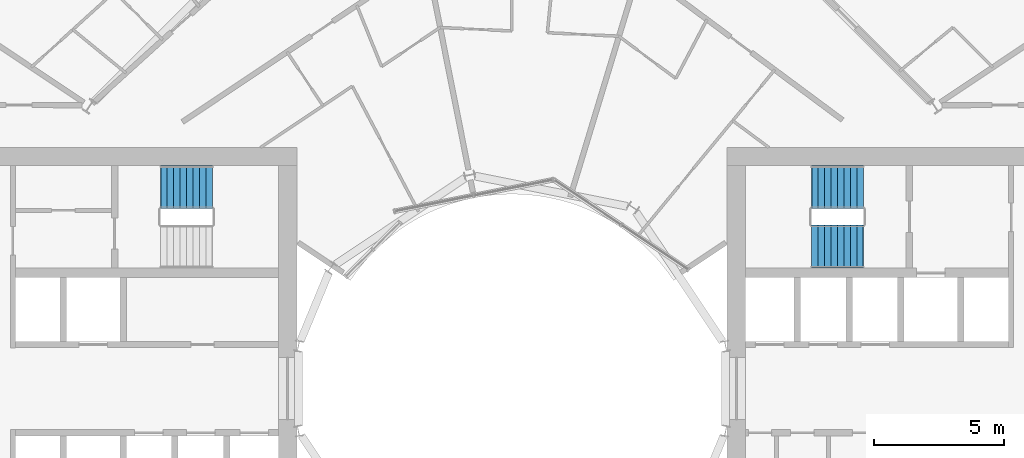
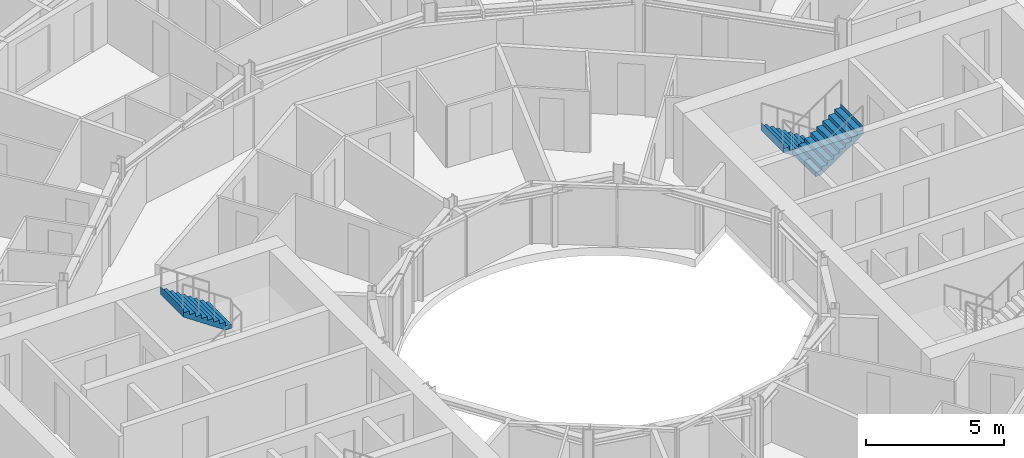
# One storey, part 24 of 26: 3 stair flights, 2 elements without a shape of their own.
"""IFC4 building model written with IfcOpenShell, lengths in metres."""

from ifc_helpers import new_model, si_unit, direction, frame, origin, place, context, subcontext, project, spatial, triangles, material, type_object, element, aggregate, save


model = new_model("IFC4")

# Units and contexts
model_context = context("Model", 3, precision=1e-05, world=origin(), true_north=direction((0.0, 1.0)))
body_context = subcontext(model_context, "Body", "Model", "MODEL_VIEW")
ifc_project = project(units=[si_unit("LENGTHUNIT", "METRE"), si_unit("AREAUNIT", "SQUARE_METRE"), si_unit("VOLUMEUNIT", "CUBIC_METRE"), si_unit("PLANEANGLEUNIT", "RADIAN"), si_unit("MASSUNIT", "GRAM", prefix="KILO")], contexts=[model_context])

# Site, building, storey
site_placement = place(None, origin())
site = spatial("IfcSite", under=ifc_project, at=site_placement, CompositionType="ELEMENT")
building_placement = place(site_placement, origin())
building = spatial("IfcBuilding", under=site, at=building_placement, Name="Maasbend Ring Residences", CompositionType="ELEMENT")
storey_placement = place(building_placement, frame((0.0, 0.0, 66.64990234375)))
storey = spatial("IfcBuildingStorey", under=building, at=storey_placement, Name="L18", CompositionType="ELEMENT", Elevation=66.64990234375)

# Stair, stair flights
ifc_material_1 = material(Name="Concrete C40/50", Category="concrete")
stair_type = type_object("IfcStairType", Name="CORE STAIR 18 RISERS", PredefinedType="HALF_TURN_STAIR", material=ifc_material_1)
stair_1_placement = place(storey_placement, origin())
stair_1 = element("IfcStair", 1, at=stair_1_placement, inside=storey, type_object=stair_type, Name="L18 Exit stair ST-E1", PredefinedType="HALF_TURN_STAIR")
ifc_material_2 = material(Name="Concrete C40/50", Category="concrete")
stair_flight_type = type_object("IfcStairFlightType", Name="CORE STAIR FLIGHT 1650", PredefinedType="STRAIGHT", material=ifc_material_2)
stair_flight_1_placement = place(storey_placement, frame((13.550048828125, 7.77490234375, 0.0), z_axis=(0.0, 0.0, 1.0), x_axis=(-1.0, 0.0, 0.0)))
stair_flight_1 = element("IfcStairFlight", 2, at=stair_flight_1_placement, type_object=stair_flight_type, Name="ST-E1 flight 1", NumberOfRisers=9, NumberOfTreads=8, PredefinedType="STRAIGHT", RiserHeight=0.169444444, TreadLength=0.25, context=body_context, shape_type="Tessellation", body=[
    triangles([(0.24072265625, 0.824951171875, -0.02001953125), (2.0029296875, 0.824951171875, 1.174560546875), (2.0029296875, 0.824951171875, 1.52490234375), (1.989990234375, 0.824951171875, 1.35546875), (1.75, 0.824951171875, 1.35546875), (1.75, 0.824951171875, 1.18603515625), (1.5, 0.824951171875, 1.18603515625), (1.5, 0.824951171875, 1.0166015625), (1.25, 0.824951171875, 1.0166015625), (1.25, 0.824951171875, 0.84716796875), (1.0, 0.824951171875, 0.84716796875), (1.0, 0.824951171875, 0.677734375), (0.75, 0.824951171875, 0.677734375), (0.75, 0.824951171875, 0.50830078125), (0.5, 0.824951171875, 0.50830078125), (0.5, 0.824951171875, 0.3388671875), (0.25, 0.824951171875, 0.3388671875), (0.25, 0.824951171875, 0.16943359375), (0.0, 0.824951171875, 0.16943359375), (0.0, 0.824951171875, 0.0), (-0.0029296875, 0.824951171875, 0.0), (-0.0029296875, 0.824951171875, -0.02001953125), (0.24072265625, 0.27490234375, -0.02001953125), (2.0029296875, 0.27490234375, 1.174560546875), (2.0029296875, 0.27490234375, 1.52490234375), (1.989990234375, 0.27490234375, 1.35546875), (1.75, 0.27490234375, 1.35546875), (1.75, 0.27490234375, 1.18603515625), (1.5, 0.27490234375, 1.18603515625), (1.5, 0.27490234375, 1.0166015625), (1.25, 0.27490234375, 1.0166015625), (1.25, 0.27490234375, 0.84716796875), (1.0, 0.27490234375, 0.84716796875), (1.0, 0.27490234375, 0.677734375), (0.75, 0.27490234375, 0.677734375), (0.75, 0.27490234375, 0.50830078125), (0.5, 0.27490234375, 0.50830078125), (0.5, 0.27490234375, 0.3388671875), (0.25, 0.27490234375, 0.3388671875), (0.25, 0.27490234375, 0.16943359375), (0.0, 0.27490234375, 0.16943359375), (0.0, 0.27490234375, 0.0), (-0.0029296875, 0.27490234375, 0.0), (-0.0029296875, 0.27490234375, -0.02001953125), (0.24072265625, -0.27490234375, -0.02001953125), (2.0029296875, -0.27490234375, 1.174560546875), (2.0029296875, -0.27490234375, 1.52490234375), (1.989990234375, -0.27490234375, 1.35546875), (1.75, -0.27490234375, 1.35546875), (1.75, -0.27490234375, 1.18603515625), (1.5, -0.27490234375, 1.18603515625), (1.5, -0.27490234375, 1.0166015625), (1.25, -0.27490234375, 1.0166015625), (1.25, -0.27490234375, 0.84716796875), (1.0, -0.27490234375, 0.84716796875), (1.0, -0.27490234375, 0.677734375), (0.75, -0.27490234375, 0.677734375), (0.75, -0.27490234375, 0.50830078125), (0.5, -0.27490234375, 0.50830078125), (0.5, -0.27490234375, 0.3388671875), (0.25, -0.27490234375, 0.3388671875), (0.25, -0.27490234375, 0.16943359375), (0.0, -0.27490234375, 0.16943359375), (0.0, -0.27490234375, 0.0), (-0.0029296875, -0.27490234375, 0.0), (-0.0029296875, -0.27490234375, -0.02001953125), (0.24072265625, -0.824951171875, -0.02001953125), (2.0029296875, -0.824951171875, 1.174560546875), (2.0029296875, -0.824951171875, 1.52490234375), (1.989990234375, -0.824951171875, 1.35546875), (1.75, -0.824951171875, 1.35546875), (1.75, -0.824951171875, 1.18603515625), (1.5, -0.824951171875, 1.18603515625), (1.5, -0.824951171875, 1.0166015625), (1.25, -0.824951171875, 1.0166015625), (1.25, -0.824951171875, 0.84716796875), (1.0, -0.824951171875, 0.84716796875), (1.0, -0.824951171875, 0.677734375), (0.75, -0.824951171875, 0.677734375), (0.75, -0.824951171875, 0.50830078125), (0.5, -0.824951171875, 0.50830078125), (0.5, -0.824951171875, 0.3388671875), (0.25, -0.824951171875, 0.3388671875), (0.25, -0.824951171875, 0.16943359375), (0.0, -0.824951171875, 0.16943359375), (0.0, -0.824951171875, 0.0), (-0.0029296875, -0.824951171875, 0.0), (-0.0029296875, -0.824951171875, -0.02001953125)], [[1, 2, 24], [1, 24, 23], [23, 24, 46], [23, 46, 45], [45, 46, 68], [45, 68, 67], [2, 3, 25], [2, 25, 24], [24, 25, 47], [24, 47, 46], [46, 47, 69], [46, 69, 68], [3, 4, 26], [3, 26, 25], [25, 26, 48], [25, 48, 47], [47, 48, 70], [47, 70, 69], [4, 5, 27], [4, 27, 26], [26, 27, 49], [26, 49, 48], [48, 49, 71], [48, 71, 70], [5, 6, 28], [5, 28, 27], [27, 28, 50], [27, 50, 49], [49, 50, 72], [49, 72, 71], [6, 7, 29], [6, 29, 28], [28, 29, 51], [28, 51, 50], [50, 51, 73], [50, 73, 72], [7, 8, 30], [7, 30, 29], [29, 30, 52], [29, 52, 51], [51, 52, 74], [51, 74, 73], [8, 9, 31], [8, 31, 30], [30, 31, 53], [30, 53, 52], [52, 53, 75], [52, 75, 74], [9, 10, 32], [9, 32, 31], [31, 32, 54], [31, 54, 53], [53, 54, 76], [53, 76, 75], [10, 11, 33], [10, 33, 32], [32, 33, 55], [32, 55, 54], [54, 55, 77], [54, 77, 76], [11, 12, 34], [11, 34, 33], [33, 34, 56], [33, 56, 55], [55, 56, 78], [55, 78, 77], [12, 13, 35], [12, 35, 34], [34, 35, 57], [34, 57, 56], [56, 57, 79], [56, 79, 78], [13, 14, 36], [13, 36, 35], [35, 36, 58], [35, 58, 57], [57, 58, 80], [57, 80, 79], [14, 15, 37], [14, 37, 36], [36, 37, 59], [36, 59, 58], [58, 59, 81], [58, 81, 80], [15, 16, 38], [15, 38, 37], [37, 38, 60], [37, 60, 59], [59, 60, 82], [59, 82, 81], [16, 17, 39], [16, 39, 38], [38, 39, 61], [38, 61, 60], [60, 61, 83], [60, 83, 82], [17, 18, 40], [17, 40, 39], [39, 40, 62], [39, 62, 61], [61, 62, 84], [61, 84, 83], [18, 19, 41], [18, 41, 40], [40, 41, 63], [40, 63, 62], [62, 63, 85], [62, 85, 84], [19, 20, 42], [19, 42, 41], [41, 42, 64], [41, 64, 63], [63, 64, 86], [63, 86, 85], [20, 21, 43], [20, 43, 42], [42, 43, 65], [42, 65, 64], [64, 65, 87], [64, 87, 86], [21, 22, 44], [21, 44, 43], [43, 44, 66], [43, 66, 65], [65, 66, 88], [65, 88, 87], [22, 1, 23], [22, 23, 44], [44, 23, 45], [44, 45, 66], [66, 45, 67], [66, 67, 88], [22, 2, 1], [2, 4, 3], [2, 5, 4], [2, 6, 5], [22, 6, 2], [6, 8, 7], [22, 8, 6], [8, 10, 9], [22, 10, 8], [10, 12, 11], [22, 12, 10], [12, 14, 13], [22, 14, 12], [14, 16, 15], [22, 16, 14], [16, 18, 17], [22, 18, 16], [18, 20, 19], [22, 20, 18], [20, 22, 21], [88, 67, 68], [68, 69, 70], [68, 70, 71], [68, 71, 72], [88, 68, 72], [72, 73, 74], [88, 72, 74], [74, 75, 76], [88, 74, 76], [76, 77, 78], [88, 76, 78], [78, 79, 80], [88, 78, 80], [80, 81, 82], [88, 80, 82], [82, 83, 84], [88, 82, 84], [84, 85, 86], [88, 84, 86], [86, 87, 88]], closed=True),
])
stair_flight_2_placement = place(storey_placement, frame((11.550048828125, 5.47509765625, 1.525146484375), z_axis=(0.0, 0.0, 1.0), x_axis=(1.0, 0.0, 0.0)))
stair_flight_2 = element("IfcStairFlight", 3, at=stair_flight_2_placement, type_object=stair_flight_type, Name="ST-E1 flight 2", NumberOfRisers=9, NumberOfTreads=8, PredefinedType="STRAIGHT", RiserHeight=0.169444444, TreadLength=0.25, context=body_context, shape_type="Tessellation", body=[
    triangles([(0.24072265625, 0.824951171875, -0.02001953125), (2.0029296875, 0.824951171875, 1.174560546875), (2.0029296875, 0.824951171875, 1.52490234375), (1.989990234375, 0.824951171875, 1.35546875), (1.75, 0.824951171875, 1.35546875), (1.75, 0.824951171875, 1.18603515625), (1.5, 0.824951171875, 1.18603515625), (1.5, 0.824951171875, 1.0166015625), (1.25, 0.824951171875, 1.0166015625), (1.25, 0.824951171875, 0.84716796875), (1.0, 0.824951171875, 0.84716796875), (1.0, 0.824951171875, 0.677734375), (0.75, 0.824951171875, 0.677734375), (0.75, 0.824951171875, 0.50830078125), (0.5, 0.824951171875, 0.50830078125), (0.5, 0.824951171875, 0.3388671875), (0.25, 0.824951171875, 0.3388671875), (0.25, 0.824951171875, 0.16943359375), (0.0, 0.824951171875, 0.16943359375), (0.0, 0.824951171875, 0.0), (-0.0029296875, 0.824951171875, 0.0), (-0.0029296875, 0.824951171875, -0.02001953125), (0.24072265625, 0.27490234375, -0.02001953125), (2.0029296875, 0.27490234375, 1.174560546875), (2.0029296875, 0.27490234375, 1.52490234375), (1.989990234375, 0.27490234375, 1.35546875), (1.75, 0.27490234375, 1.35546875), (1.75, 0.27490234375, 1.18603515625), (1.5, 0.27490234375, 1.18603515625), (1.5, 0.27490234375, 1.0166015625), (1.25, 0.27490234375, 1.0166015625), (1.25, 0.27490234375, 0.84716796875), (1.0, 0.27490234375, 0.84716796875), (1.0, 0.27490234375, 0.677734375), (0.75, 0.27490234375, 0.677734375), (0.75, 0.27490234375, 0.50830078125), (0.5, 0.27490234375, 0.50830078125), (0.5, 0.27490234375, 0.3388671875), (0.25, 0.27490234375, 0.3388671875), (0.25, 0.27490234375, 0.16943359375), (0.0, 0.27490234375, 0.16943359375), (0.0, 0.27490234375, 0.0), (-0.0029296875, 0.27490234375, 0.0), (-0.0029296875, 0.27490234375, -0.02001953125), (0.24072265625, -0.27490234375, -0.02001953125), (2.0029296875, -0.27490234375, 1.174560546875), (2.0029296875, -0.27490234375, 1.52490234375), (1.989990234375, -0.27490234375, 1.35546875), (1.75, -0.27490234375, 1.35546875), (1.75, -0.27490234375, 1.18603515625), (1.5, -0.27490234375, 1.18603515625), (1.5, -0.27490234375, 1.0166015625), (1.25, -0.27490234375, 1.0166015625), (1.25, -0.27490234375, 0.84716796875), (1.0, -0.27490234375, 0.84716796875), (1.0, -0.27490234375, 0.677734375), (0.75, -0.27490234375, 0.677734375), (0.75, -0.27490234375, 0.50830078125), (0.5, -0.27490234375, 0.50830078125), (0.5, -0.27490234375, 0.3388671875), (0.25, -0.27490234375, 0.3388671875), (0.25, -0.27490234375, 0.16943359375), (0.0, -0.27490234375, 0.16943359375), (0.0, -0.27490234375, 0.0), (-0.0029296875, -0.27490234375, 0.0), (-0.0029296875, -0.27490234375, -0.02001953125), (0.24072265625, -0.824951171875, -0.02001953125), (2.0029296875, -0.824951171875, 1.174560546875), (2.0029296875, -0.824951171875, 1.52490234375), (1.989990234375, -0.824951171875, 1.35546875), (1.75, -0.824951171875, 1.35546875), (1.75, -0.824951171875, 1.18603515625), (1.5, -0.824951171875, 1.18603515625), (1.5, -0.824951171875, 1.0166015625), (1.25, -0.824951171875, 1.0166015625), (1.25, -0.824951171875, 0.84716796875), (1.0, -0.824951171875, 0.84716796875), (1.0, -0.824951171875, 0.677734375), (0.75, -0.824951171875, 0.677734375), (0.75, -0.824951171875, 0.50830078125), (0.5, -0.824951171875, 0.50830078125), (0.5, -0.824951171875, 0.3388671875), (0.25, -0.824951171875, 0.3388671875), (0.25, -0.824951171875, 0.16943359375), (0.0, -0.824951171875, 0.16943359375), (0.0, -0.824951171875, 0.0), (-0.0029296875, -0.824951171875, 0.0), (-0.0029296875, -0.824951171875, -0.02001953125)], [[1, 2, 24], [1, 24, 23], [23, 24, 46], [23, 46, 45], [45, 46, 68], [45, 68, 67], [2, 3, 25], [2, 25, 24], [24, 25, 47], [24, 47, 46], [46, 47, 69], [46, 69, 68], [3, 4, 26], [3, 26, 25], [25, 26, 48], [25, 48, 47], [47, 48, 70], [47, 70, 69], [4, 5, 27], [4, 27, 26], [26, 27, 49], [26, 49, 48], [48, 49, 71], [48, 71, 70], [5, 6, 28], [5, 28, 27], [27, 28, 50], [27, 50, 49], [49, 50, 72], [49, 72, 71], [6, 7, 29], [6, 29, 28], [28, 29, 51], [28, 51, 50], [50, 51, 73], [50, 73, 72], [7, 8, 30], [7, 30, 29], [29, 30, 52], [29, 52, 51], [51, 52, 74], [51, 74, 73], [8, 9, 31], [8, 31, 30], [30, 31, 53], [30, 53, 52], [52, 53, 75], [52, 75, 74], [9, 10, 32], [9, 32, 31], [31, 32, 54], [31, 54, 53], [53, 54, 76], [53, 76, 75], [10, 11, 33], [10, 33, 32], [32, 33, 55], [32, 55, 54], [54, 55, 77], [54, 77, 76], [11, 12, 34], [11, 34, 33], [33, 34, 56], [33, 56, 55], [55, 56, 78], [55, 78, 77], [12, 13, 35], [12, 35, 34], [34, 35, 57], [34, 57, 56], [56, 57, 79], [56, 79, 78], [13, 14, 36], [13, 36, 35], [35, 36, 58], [35, 58, 57], [57, 58, 80], [57, 80, 79], [14, 15, 37], [14, 37, 36], [36, 37, 59], [36, 59, 58], [58, 59, 81], [58, 81, 80], [15, 16, 38], [15, 38, 37], [37, 38, 60], [37, 60, 59], [59, 60, 82], [59, 82, 81], [16, 17, 39], [16, 39, 38], [38, 39, 61], [38, 61, 60], [60, 61, 83], [60, 83, 82], [17, 18, 40], [17, 40, 39], [39, 40, 62], [39, 62, 61], [61, 62, 84], [61, 84, 83], [18, 19, 41], [18, 41, 40], [40, 41, 63], [40, 63, 62], [62, 63, 85], [62, 85, 84], [19, 20, 42], [19, 42, 41], [41, 42, 64], [41, 64, 63], [63, 64, 86], [63, 86, 85], [20, 21, 43], [20, 43, 42], [42, 43, 65], [42, 65, 64], [64, 65, 87], [64, 87, 86], [21, 22, 44], [21, 44, 43], [43, 44, 66], [43, 66, 65], [65, 66, 88], [65, 88, 87], [22, 1, 23], [22, 23, 44], [44, 23, 45], [44, 45, 66], [66, 45, 67], [66, 67, 88], [22, 2, 1], [2, 4, 3], [2, 5, 4], [2, 6, 5], [22, 6, 2], [6, 8, 7], [22, 8, 6], [8, 10, 9], [22, 10, 8], [10, 12, 11], [22, 12, 10], [12, 14, 13], [22, 14, 12], [14, 16, 15], [22, 16, 14], [16, 18, 17], [22, 18, 16], [18, 20, 19], [22, 20, 18], [20, 22, 21], [88, 67, 68], [68, 69, 70], [68, 70, 71], [68, 71, 72], [88, 68, 72], [72, 73, 74], [88, 72, 74], [74, 75, 76], [88, 74, 76], [76, 77, 78], [88, 76, 78], [78, 79, 80], [88, 78, 80], [80, 81, 82], [88, 80, 82], [82, 83, 84], [88, 82, 84], [84, 85, 86], [88, 84, 86], [86, 87, 88]], closed=True),
])
aggregate(stair_1, [stair_flight_1, stair_flight_2])

# Stair, stair flight
stair_2_placement = place(storey_placement, origin())
stair_2 = element("IfcStair", 4, at=stair_2_placement, inside=storey, type_object=stair_type, Name="L18 Exit stair ST-W2", PredefinedType="HALF_TURN_STAIR")
stair_flight_3_placement = place(storey_placement, frame((-11.550048828125, 7.77490234375, 1.525146484375), z_axis=(0.0, 0.0, 1.0), x_axis=(-1.0, 0.0, 0.0)))
stair_flight_3 = element("IfcStairFlight", 5, at=stair_flight_3_placement, type_object=stair_flight_type, Name="ST-W2 flight 2", NumberOfRisers=9, NumberOfTreads=8, PredefinedType="STRAIGHT", RiserHeight=0.169444444, TreadLength=0.25, context=body_context, shape_type="Tessellation", body=[
    triangles([(0.24072265625, 0.824951171875, -0.02001953125), (2.0029296875, 0.824951171875, 1.174560546875), (2.0029296875, 0.824951171875, 1.52490234375), (1.989990234375, 0.824951171875, 1.35546875), (1.75, 0.824951171875, 1.35546875), (1.75, 0.824951171875, 1.18603515625), (1.5, 0.824951171875, 1.18603515625), (1.5, 0.824951171875, 1.0166015625), (1.25, 0.824951171875, 1.0166015625), (1.25, 0.824951171875, 0.84716796875), (1.0, 0.824951171875, 0.84716796875), (1.0, 0.824951171875, 0.677734375), (0.75, 0.824951171875, 0.677734375), (0.75, 0.824951171875, 0.50830078125), (0.5, 0.824951171875, 0.50830078125), (0.5, 0.824951171875, 0.3388671875), (0.25, 0.824951171875, 0.3388671875), (0.25, 0.824951171875, 0.16943359375), (0.0, 0.824951171875, 0.16943359375), (0.0, 0.824951171875, 0.0), (-0.0029296875, 0.824951171875, 0.0), (-0.0029296875, 0.824951171875, -0.02001953125), (0.24072265625, 0.27490234375, -0.02001953125), (2.0029296875, 0.27490234375, 1.174560546875), (2.0029296875, 0.27490234375, 1.52490234375), (1.989990234375, 0.27490234375, 1.35546875), (1.75, 0.27490234375, 1.35546875), (1.75, 0.27490234375, 1.18603515625), (1.5, 0.27490234375, 1.18603515625), (1.5, 0.27490234375, 1.0166015625), (1.25, 0.27490234375, 1.0166015625), (1.25, 0.27490234375, 0.84716796875), (1.0, 0.27490234375, 0.84716796875), (1.0, 0.27490234375, 0.677734375), (0.75, 0.27490234375, 0.677734375), (0.75, 0.27490234375, 0.50830078125), (0.5, 0.27490234375, 0.50830078125), (0.5, 0.27490234375, 0.3388671875), (0.25, 0.27490234375, 0.3388671875), (0.25, 0.27490234375, 0.16943359375), (0.0, 0.27490234375, 0.16943359375), (0.0, 0.27490234375, 0.0), (-0.0029296875, 0.27490234375, 0.0), (-0.0029296875, 0.27490234375, -0.02001953125), (0.24072265625, -0.27490234375, -0.02001953125), (2.0029296875, -0.27490234375, 1.174560546875), (2.0029296875, -0.27490234375, 1.52490234375), (1.989990234375, -0.27490234375, 1.35546875), (1.75, -0.27490234375, 1.35546875), (1.75, -0.27490234375, 1.18603515625), (1.5, -0.27490234375, 1.18603515625), (1.5, -0.27490234375, 1.0166015625), (1.25, -0.27490234375, 1.0166015625), (1.25, -0.27490234375, 0.84716796875), (1.0, -0.27490234375, 0.84716796875), (1.0, -0.27490234375, 0.677734375), (0.75, -0.27490234375, 0.677734375), (0.75, -0.27490234375, 0.50830078125), (0.5, -0.27490234375, 0.50830078125), (0.5, -0.27490234375, 0.3388671875), (0.25, -0.27490234375, 0.3388671875), (0.25, -0.27490234375, 0.16943359375), (0.0, -0.27490234375, 0.16943359375), (0.0, -0.27490234375, 0.0), (-0.0029296875, -0.27490234375, 0.0), (-0.0029296875, -0.27490234375, -0.02001953125), (0.24072265625, -0.824951171875, -0.02001953125), (2.0029296875, -0.824951171875, 1.174560546875), (2.0029296875, -0.824951171875, 1.52490234375), (1.989990234375, -0.824951171875, 1.35546875), (1.75, -0.824951171875, 1.35546875), (1.75, -0.824951171875, 1.18603515625), (1.5, -0.824951171875, 1.18603515625), (1.5, -0.824951171875, 1.0166015625), (1.25, -0.824951171875, 1.0166015625), (1.25, -0.824951171875, 0.84716796875), (1.0, -0.824951171875, 0.84716796875), (1.0, -0.824951171875, 0.677734375), (0.75, -0.824951171875, 0.677734375), (0.75, -0.824951171875, 0.50830078125), (0.5, -0.824951171875, 0.50830078125), (0.5, -0.824951171875, 0.3388671875), (0.25, -0.824951171875, 0.3388671875), (0.25, -0.824951171875, 0.16943359375), (0.0, -0.824951171875, 0.16943359375), (0.0, -0.824951171875, 0.0), (-0.0029296875, -0.824951171875, 0.0), (-0.0029296875, -0.824951171875, -0.02001953125)], [[1, 2, 24], [1, 24, 23], [23, 24, 46], [23, 46, 45], [45, 46, 68], [45, 68, 67], [2, 3, 25], [2, 25, 24], [24, 25, 47], [24, 47, 46], [46, 47, 69], [46, 69, 68], [3, 4, 26], [3, 26, 25], [25, 26, 48], [25, 48, 47], [47, 48, 70], [47, 70, 69], [4, 5, 27], [4, 27, 26], [26, 27, 49], [26, 49, 48], [48, 49, 71], [48, 71, 70], [5, 6, 28], [5, 28, 27], [27, 28, 50], [27, 50, 49], [49, 50, 72], [49, 72, 71], [6, 7, 29], [6, 29, 28], [28, 29, 51], [28, 51, 50], [50, 51, 73], [50, 73, 72], [7, 8, 30], [7, 30, 29], [29, 30, 52], [29, 52, 51], [51, 52, 74], [51, 74, 73], [8, 9, 31], [8, 31, 30], [30, 31, 53], [30, 53, 52], [52, 53, 75], [52, 75, 74], [9, 10, 32], [9, 32, 31], [31, 32, 54], [31, 54, 53], [53, 54, 76], [53, 76, 75], [10, 11, 33], [10, 33, 32], [32, 33, 55], [32, 55, 54], [54, 55, 77], [54, 77, 76], [11, 12, 34], [11, 34, 33], [33, 34, 56], [33, 56, 55], [55, 56, 78], [55, 78, 77], [12, 13, 35], [12, 35, 34], [34, 35, 57], [34, 57, 56], [56, 57, 79], [56, 79, 78], [13, 14, 36], [13, 36, 35], [35, 36, 58], [35, 58, 57], [57, 58, 80], [57, 80, 79], [14, 15, 37], [14, 37, 36], [36, 37, 59], [36, 59, 58], [58, 59, 81], [58, 81, 80], [15, 16, 38], [15, 38, 37], [37, 38, 60], [37, 60, 59], [59, 60, 82], [59, 82, 81], [16, 17, 39], [16, 39, 38], [38, 39, 61], [38, 61, 60], [60, 61, 83], [60, 83, 82], [17, 18, 40], [17, 40, 39], [39, 40, 62], [39, 62, 61], [61, 62, 84], [61, 84, 83], [18, 19, 41], [18, 41, 40], [40, 41, 63], [40, 63, 62], [62, 63, 85], [62, 85, 84], [19, 20, 42], [19, 42, 41], [41, 42, 64], [41, 64, 63], [63, 64, 86], [63, 86, 85], [20, 21, 43], [20, 43, 42], [42, 43, 65], [42, 65, 64], [64, 65, 87], [64, 87, 86], [21, 22, 44], [21, 44, 43], [43, 44, 66], [43, 66, 65], [65, 66, 88], [65, 88, 87], [22, 1, 23], [22, 23, 44], [44, 23, 45], [44, 45, 66], [66, 45, 67], [66, 67, 88], [22, 2, 1], [2, 4, 3], [2, 5, 4], [2, 6, 5], [22, 6, 2], [6, 8, 7], [22, 8, 6], [8, 10, 9], [22, 10, 8], [10, 12, 11], [22, 12, 10], [12, 14, 13], [22, 14, 12], [14, 16, 15], [22, 16, 14], [16, 18, 17], [22, 18, 16], [18, 20, 19], [22, 20, 18], [20, 22, 21], [88, 67, 68], [68, 69, 70], [68, 70, 71], [68, 71, 72], [88, 68, 72], [72, 73, 74], [88, 72, 74], [74, 75, 76], [88, 74, 76], [76, 77, 78], [88, 76, 78], [78, 79, 80], [88, 78, 80], [80, 81, 82], [88, 80, 82], [82, 83, 84], [88, 82, 84], [84, 85, 86], [88, 84, 86], [86, 87, 88]], closed=True),
])
aggregate(stair_2, [stair_flight_3])

save(model, "model.ifc")
